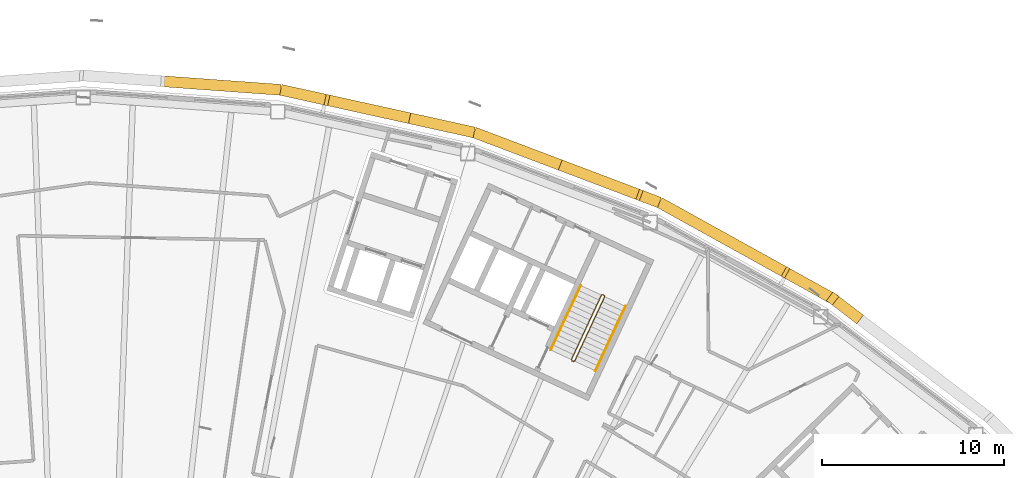
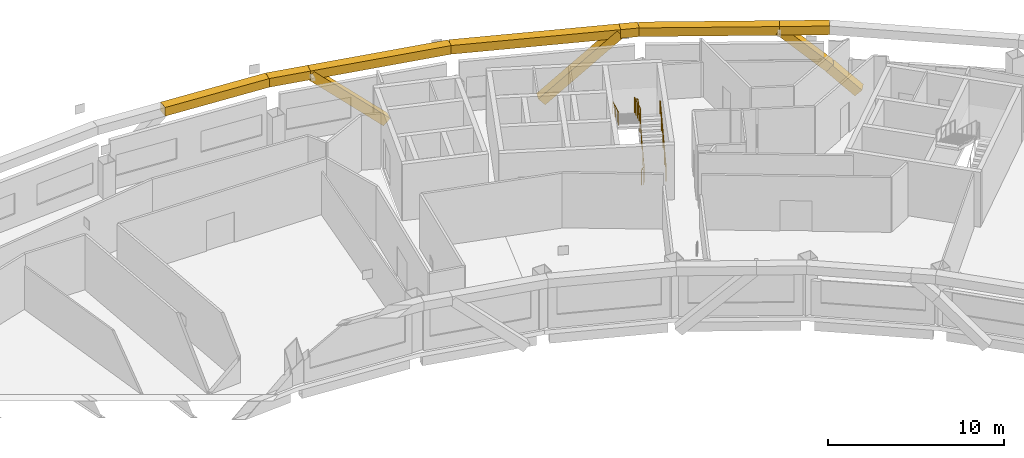
# One storey, part 20 of 21: 11 coverings, 3 railings.
"""IFC4 building model written with IfcOpenShell, lengths in metres."""

from ifc_helpers import new_model, si_unit, direction, frame, origin, origin_2d, place, context, subcontext, project, spatial, rectangle, circle, extrude, material, material_profile, profile_set, type_object, element, save


model = new_model("IFC4")

# Units and contexts
model_context = context("Model", 3, precision=1e-05, world=origin(), true_north=direction((0.0, 1.0)))
body_context = subcontext(model_context, "Body", "Model", "MODEL_VIEW")
ifc_project = project(units=[si_unit("LENGTHUNIT", "METRE"), si_unit("AREAUNIT", "SQUARE_METRE"), si_unit("VOLUMEUNIT", "CUBIC_METRE"), si_unit("PLANEANGLEUNIT", "RADIAN"), si_unit("MASSUNIT", "GRAM", prefix="KILO")], contexts=[model_context])

# Site, building, storey
site_placement = place(None, origin())
site = spatial("IfcSite", under=ifc_project, at=site_placement, CompositionType="ELEMENT")
building_placement = place(site_placement, origin())
building = spatial("IfcBuilding", under=site, at=building_placement, Name="Tuul Gate Civic Tower", CompositionType="ELEMENT")
storey_placement = place(building_placement, frame((0.0, 0.0, 311.0)))
storey = spatial("IfcBuildingStorey", under=building, at=storey_placement, Name="Level 70", CompositionType="ELEMENT", Elevation=311.0)

# Railings
ifc_material_1 = material(Name="Painted steel", Category="steel")
railing_type_1 = type_object("IfcRailingType", Name="Stair guard", PredefinedType="GUARDRAIL", material=ifc_material_1)
railing_1_placement = place(storey_placement, frame((33.645751953125, -5.238525390625, 0.0)))
element("IfcRailing", 1, at=railing_1_placement, inside=storey, type_object=railing_type_1, Name="Level 70 ST-4 stair guard 1", PredefinedType="GUARDRAIL", context=body_context, shape_type="SweptSolid", body=[
    extrude(circle(Radius=0.02392578125, at=origin_2d()), frame((0.0, 0.0, 1.076171875), z_axis=(-0.906307919131, 0.422617978463, 0.0), x_axis=(-0.422617978463, -0.906307919131, 0.0)), (0.0, 0.0, 1.0), 0.099853515625),
    extrude(circle(Radius=0.02392578125, at=origin_2d()), frame((-0.090576171875, 0.042236328125, 1.076171875), z_axis=(0.720735628292, -0.082946246491, 0.688229666829), x_axis=(0.114330889033, 0.993442724979, 0.0)), (0.0, 0.0, 1.0), 0.2177734375),
    extrude(circle(Radius=0.02392578125, at=origin_2d()), frame((0.06640625, 0.024169921875, 1.22607421875), z_axis=(0.377937439636, 0.810633814971, 0.447253965602), x_axis=(-0.906336612539, 0.422556439746, 0.0)), (0.0, 0.0, 1.0), 4.3603515625),
    extrude(circle(Radius=0.02392578125, at=origin_2d()), frame((1.71435546875, 3.558837890625, 3.17626953125), z_axis=(-0.342020437038, 0.939692513883, 0.0), x_axis=(-0.939692513883, -0.342020437038, 0.0)), (0.0, 0.0, 1.0), 0.070556640625),
    extrude(circle(Radius=0.02392578125, at=origin_2d()), frame((1.690185546875, 3.625244140625, 3.17626953125), z_axis=(-0.906307919131, 0.422617978463, 0.0), x_axis=(-0.422617978463, -0.906307919131, 0.0)), (0.0, 0.0, 1.0), 0.099853515625),
    extrude(circle(Radius=0.02392578125, at=origin_2d()), frame((1.599609375, 3.66748046875, 3.17626953125), z_axis=(-0.40070210376, -0.145843780413, 0.904526072458), x_axis=(0.342020437038, -0.939692513883, 0.0)), (0.0, 0.0, 1.0), 0.165771484375),
    extrude(circle(Radius=0.02392578125, at=origin_2d()), frame((1.533203125, 3.643310546875, 3.326171875), z_axis=(-0.377946903738, -0.810654114417, 0.447209173356), x_axis=(0.906336612539, -0.422556439746, 0.0)), (0.0, 0.0, 1.0), 4.3603515625),
    extrude(circle(Radius=0.02099609375, at=origin_2d()), origin(), (0.0, 0.0, 1.0), 1.052001953125),
    extrude(circle(Radius=0.02099609375, at=origin_2d()), frame((-0.090576171875, 0.042236328125, 0.0)), (0.0, 0.0, 1.0), 1.052001953125),
    extrude(circle(Radius=0.02099609375, at=origin_2d()), frame((0.06640625, 0.024169921875, 0.14990234375)), (0.0, 0.0, 1.0), 1.052001953125),
    extrude(circle(Radius=0.02099609375, at=origin_2d()), frame((0.478515625, 0.90771484375, 0.637451171875)), (0.0, 0.0, 1.0), 1.052001953125),
    extrude(circle(Radius=0.02099609375, at=origin_2d()), frame((0.890380859375, 1.79150390625, 1.125)), (0.0, 0.0, 1.0), 1.052001953125),
    extrude(circle(Radius=0.02099609375, at=origin_2d()), frame((1.30224609375, 2.67529296875, 1.612548828125)), (0.0, 0.0, 1.0), 1.052001953125),
    extrude(circle(Radius=0.02099609375, at=origin_2d()), frame((1.71435546875, 3.558837890625, 2.10009765625)), (0.0, 0.0, 1.0), 1.052001953125),
    extrude(circle(Radius=0.02099609375, at=origin_2d()), frame((1.690185546875, 3.625244140625, 2.10009765625)), (0.0, 0.0, 1.0), 1.052001953125),
    extrude(circle(Radius=0.02099609375, at=origin_2d()), frame((1.599609375, 3.66748046875, 2.10009765625)), (0.0, 0.0, 1.0), 1.052001953125),
    extrude(circle(Radius=0.02099609375, at=origin_2d()), frame((1.533203125, 3.643310546875, 2.25)), (0.0, 0.0, 1.0), 1.052001953125),
    extrude(circle(Radius=0.02099609375, at=origin_2d()), frame((1.12109375, 2.759765625, 2.737548828125)), (0.0, 0.0, 1.0), 1.052001953125),
    extrude(circle(Radius=0.02099609375, at=origin_2d()), frame((0.709228515625, 1.8759765625, 3.22509765625)), (0.0, 0.0, 1.0), 1.052001953125),
    extrude(circle(Radius=0.02099609375, at=origin_2d()), frame((0.29736328125, 0.9921875, 3.71240234375)), (0.0, 0.0, 1.0), 1.052001953125),
    extrude(circle(Radius=0.02099609375, at=origin_2d()), frame((-0.11474609375, 0.108642578125, 4.199951171875)), (0.0, 0.0, 1.0), 1.052001953125),
])
ifc_material_2 = material(Name="Painted steel", Category="steel")
railing_type_2 = type_object("IfcRailingType", Name="Stair handrail", PredefinedType="HANDRAIL", material=ifc_material_2)
railing_2_placement = place(storey_placement, frame((34.844970703125, -5.74267578125, 0.14990234375)))
element("IfcRailing", 2, at=railing_2_placement, inside=storey, type_object=railing_type_2, Name="Level 70 ST-4 stair handrail 1", PredefinedType="HANDRAIL", context=body_context, shape_type="SweptSolid", body=[
    extrude(circle(Radius=0.02392578125, at=origin_2d()), frame((0.0, 0.0, 0.8759765625), z_axis=(0.377985431313, 0.810616660428, 0.447244500863), x_axis=(-0.906312636903, 0.422607861012, 0.0)), (0.0, 0.0, 1.0), 4.3603515625),
    extrude(circle(Radius=0.02099609375, at=origin_2d()), origin(), (0.0, 0.0, 1.0), 0.851806640625),
    extrude(circle(Radius=0.02099609375, at=origin_2d()), frame((0.412109375, 0.8837890625, 0.487548828125)), (0.0, 0.0, 1.0), 0.851806640625),
    extrude(circle(Radius=0.02099609375, at=origin_2d()), frame((0.82421875, 1.767333984375, 0.97509765625)), (0.0, 0.0, 1.0), 0.851806640625),
    extrude(circle(Radius=0.02099609375, at=origin_2d()), frame((1.236083984375, 2.65087890625, 1.462646484375)), (0.0, 0.0, 1.0), 0.851806640625),
    extrude(circle(Radius=0.02099609375, at=origin_2d()), frame((1.648193359375, 3.53466796875, 1.9501953125)), (0.0, 0.0, 1.0), 0.851806640625),
])
railing_3_placement = place(storey_placement, frame((34.046142578125, -1.06689453125, 2.25)))
element("IfcRailing", 3, at=railing_3_placement, inside=storey, type_object=railing_type_2, Name="Level 70 ST-4 stair handrail 2", PredefinedType="HANDRAIL", context=body_context, shape_type="SweptSolid", body=[
    extrude(circle(Radius=0.02392578125, at=origin_2d()), frame((0.0, 0.0, 0.8759765625), z_axis=(-0.377994896215, -0.810636958585, 0.447199709091), x_axis=(0.906312636903, -0.422607861012, 0.0)), (0.0, 0.0, 1.0), 4.3603515625),
    extrude(circle(Radius=0.02099609375, at=origin_2d()), origin(), (0.0, 0.0, 1.0), 0.851806640625),
    extrude(circle(Radius=0.02099609375, at=origin_2d()), frame((-0.412109375, -0.8837890625, 0.487548828125)), (0.0, 0.0, 1.0), 0.851806640625),
    extrude(circle(Radius=0.02099609375, at=origin_2d()), frame((-0.82421875, -1.767333984375, 0.97509765625)), (0.0, 0.0, 1.0), 0.851806640625),
    extrude(circle(Radius=0.02099609375, at=origin_2d()), frame((-1.236083984375, -2.65087890625, 1.46240234375)), (0.0, 0.0, 1.0), 0.851806640625),
    extrude(circle(Radius=0.02099609375, at=origin_2d()), frame((-1.648193359375, -3.53466796875, 1.949951171875)), (0.0, 0.0, 1.0), 0.851806640625),
])

# Coverings
ifc_material_3 = material(Name="Terracotta baguette", Category="masonry")
ifc_material_profile = material_profile(ifc_material_3, rectangle(XDim=0.60009765625, YDim=0.60009765625, at=origin_2d()), Name="Terracotta baguette screen frame")
ifc_profile_set = profile_set([ifc_material_profile], Name="Terracotta baguette")
covering_type = type_object("IfcCoveringType", Name="Terracotta baguette screen frame", PredefinedType="CLADDING", material=ifc_profile_set)
covering_1_placement = place(storey_placement, frame((49.19140625, -2.80615234375, -0.35009765625), z_axis=(-0.583765539926, 0.444455442885, 0.679468287475), x_axis=(-0.605768691074, -0.795640806467, 0.0)))
element("IfcCovering", 4, at=covering_1_placement, inside=storey, type_object=covering_type, Name="Baguette 43", PredefinedType="CLADDING", context=body_context, shape_type="SweptSolid", body=[
    extrude(rectangle(XDim=0.60009765625, YDim=0.60009765625, at=origin_2d()), origin(), (0.0, 0.0, 1.0), 2.301025390625),
])
covering_2_placement = place(storey_placement, frame((47.84814453125, -1.783447265625, 1.21337890625), z_axis=(-0.641760710944, 0.355792842688, 0.679378129602), x_axis=(-0.484871200152, -0.874585570006, 0.0)))
element("IfcCovering", 5, at=covering_2_placement, inside=storey, type_object=covering_type, Name="Baguette 44", PredefinedType="CLADDING", context=body_context, shape_type="SweptSolid", body=[
    extrude(rectangle(XDim=0.60009765625, YDim=0.60009765625, at=origin_2d()), origin(), (0.0, 0.0, 1.0), 3.881103515625),
])
covering_3_placement = place(storey_placement, frame((45.357421875, -0.402587890625, 3.85009765625), z_axis=(-0.874613060583, 0.484821610757, 0.0), x_axis=(-0.484821610757, -0.874613060583, 0.0)))
element("IfcCovering", 6, at=covering_3_placement, inside=storey, type_object=covering_type, Name="Baguette 49", PredefinedType="CLADDING", context=body_context, shape_type="SweptSolid", body=[
    extrude(rectangle(XDim=0.60009765625, YDim=0.60009765625, at=origin_2d()), origin(), (0.0, 0.0, 1.0), 8.002685546875),
])
covering_4_placement = place(storey_placement, frame((38.358154296875, 3.477294921875, 3.85009765625), z_axis=(-0.935331168896, 0.353773380134, 0.0), x_axis=(-0.353773380134, -0.935331168896, 0.0)))
element("IfcCovering", 7, at=covering_4_placement, inside=storey, type_object=covering_type, Name="Baguette 50", PredefinedType="CLADDING", context=body_context, shape_type="SweptSolid", body=[
    extrude(rectangle(XDim=0.60009765625, YDim=0.60009765625, at=origin_2d()), origin(), (0.0, 0.0, 1.0), 1.069580078125),
])
covering_5_placement = place(storey_placement, frame((37.357666015625, 3.855712890625, 3.85009765625), z_axis=(-0.686343890459, 0.259531188038, -0.679393572581), x_axis=(-0.353693598078, -0.935361341236, 0.0)))
element("IfcCovering", 8, at=covering_5_placement, inside=storey, type_object=covering_type, Name="Baguette 52", PredefinedType="CLADDING", context=body_context, shape_type="SweptSolid", body=[
    extrude(rectangle(XDim=0.60009765625, YDim=0.60009765625, at=origin_2d()), origin(), (0.0, 0.0, 1.0), 6.182373046875),
])
covering_6_placement = place(storey_placement, frame((24.470947265625, 8.139404296875, -0.35009765625), z_axis=(-0.716571151608, 0.157886550792, 0.679409759838), x_axis=(-0.215174921103, -0.976575523617, 0.0)))
element("IfcCovering", 9, at=covering_6_placement, inside=storey, type_object=covering_type, Name="Baguette 62", PredefinedType="CLADDING", context=body_context, shape_type="SweptSolid", body=[
    extrude(rectangle(XDim=0.60009765625, YDim=0.60009765625, at=origin_2d()), origin(), (0.0, 0.0, 1.0), 6.18212890625),
])
covering_7_placement = place(storey_placement, frame((20.041015625, 9.115478515625, 3.85009765625), z_axis=(-0.976550477935, 0.215288559947, 0.0), x_axis=(-0.215288559947, -0.976550477935, 0.0)))
element("IfcCovering", 10, at=covering_7_placement, inside=storey, type_object=covering_type, Name="Baguette 67", PredefinedType="CLADDING", context=body_context, shape_type="SweptSolid", body=[
    extrude(rectangle(XDim=0.60009765625, YDim=0.60009765625, at=origin_2d()), origin(), (0.0, 0.0, 1.0), 2.488037109375),
])
covering_8_placement = place(storey_placement, frame((17.611328125, 9.651123046875, 3.85009765625), z_axis=(-0.997388010162, 0.072229891215, 0.0), x_axis=(-0.072229891215, -0.997388010162, 0.0)))
element("IfcCovering", 11, at=covering_8_placement, inside=storey, type_object=covering_type, Name="Baguette 68", PredefinedType="CLADDING", context=body_context, shape_type="SweptSolid", body=[
    extrude(rectangle(XDim=0.60009765625, YDim=0.60009765625, at=origin_2d()), origin(), (0.0, 0.0, 1.0), 6.584228515625),
])
covering_9_placement = place(storey_placement, frame((47.84814453125, -1.783447265625, 3.85009765625), z_axis=(-0.874585570006, 0.484871200152, 0.0), x_axis=(-0.484871200152, -0.874585570006, 0.0)))
element("IfcCovering", 12, at=covering_9_placement, inside=storey, type_object=covering_type, Name="Baguette 412", PredefinedType="CLADDING", context=body_context, shape_type="SweptSolid", body=[
    extrude(rectangle(XDim=0.60009765625, YDim=0.60009765625, at=origin_2d()), origin(), (0.0, 0.0, 1.0), 2.847900390625),
])
covering_10_placement = place(storey_placement, frame((37.357666015625, 3.855712890625, 3.85009765625), z_axis=(-0.935362589689, 0.353690296461, 0.0), x_axis=(-0.353690296461, -0.935362589689, 0.0)))
element("IfcCovering", 13, at=covering_10_placement, inside=storey, type_object=covering_type, Name="Baguette 413", PredefinedType="CLADDING", context=body_context, shape_type="SweptSolid", body=[
    extrude(rectangle(XDim=0.60009765625, YDim=0.60009765625, at=origin_2d()), origin(), (0.0, 0.0, 1.0), 9.782470703125),
])
covering_11_placement = place(storey_placement, frame((28.20751953125, 7.315673828125, 3.85009765625), z_axis=(-0.976564757284, 0.215223778496, 0.0), x_axis=(-0.215223778496, -0.976564757284, 0.0)))
element("IfcCovering", 14, at=covering_11_placement, inside=storey, type_object=covering_type, Name="Baguette 414", PredefinedType="CLADDING", context=body_context, shape_type="SweptSolid", body=[
    extrude(rectangle(XDim=0.60009765625, YDim=0.60009765625, at=origin_2d()), origin(), (0.0, 0.0, 1.0), 8.362548828125),
])

save(model, "model.ifc")
